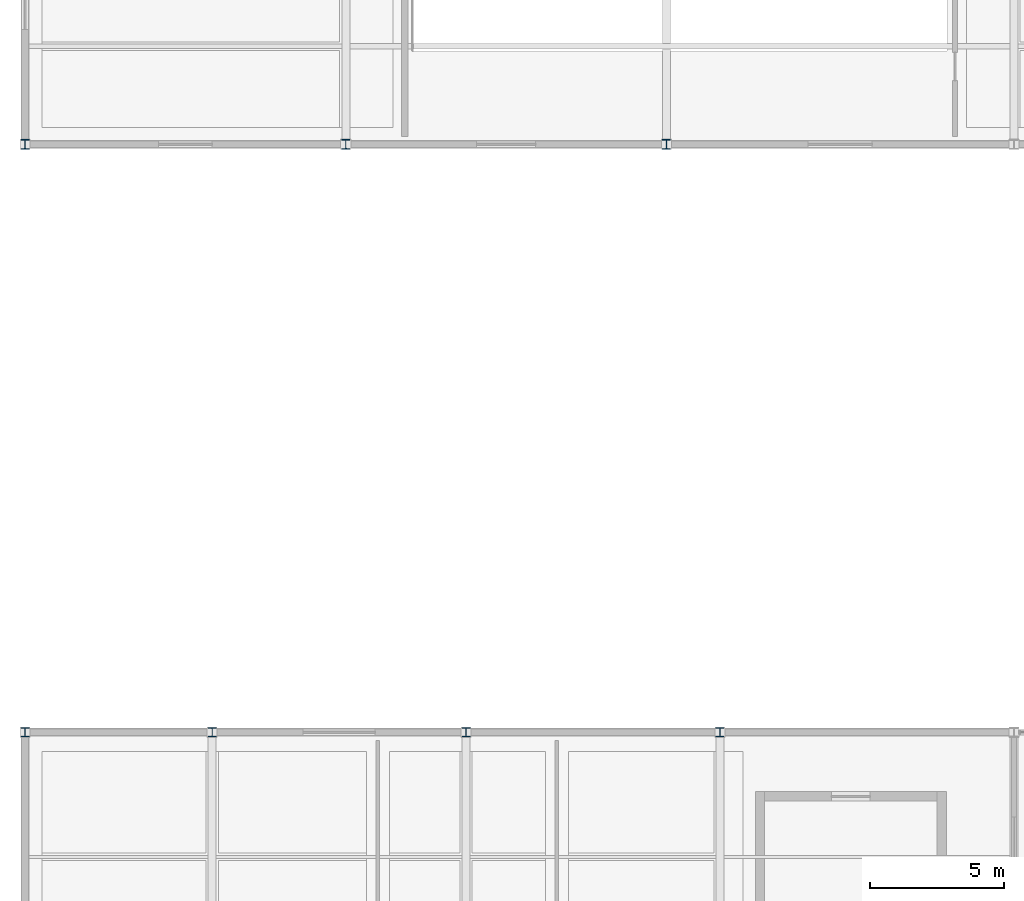
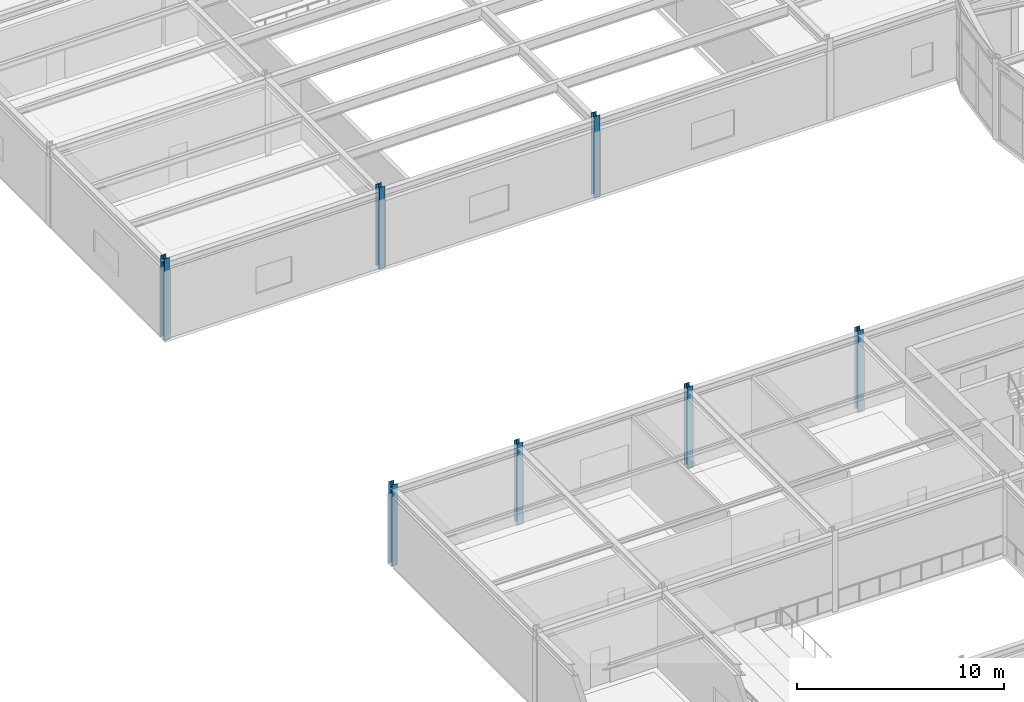
# One storey, part 3 of 100: 7 columns.
"""IFC4 building model written with IfcOpenShell, lengths in metres."""

from ifc_helpers import new_model, si_unit, direction, frame, origin, origin_2d, place, context, subcontext, project, spatial, i_section, extrude, material, material_profile, profile_set, type_object, element, save


model = new_model("IFC4")

# Units and contexts
model_context = context("Model", 3, precision=1e-05, world=origin(), true_north=direction((0.0, 1.0)))
body_context = subcontext(model_context, "Body", "Model", "MODEL_VIEW")
ifc_project = project(units=[si_unit("LENGTHUNIT", "METRE"), si_unit("AREAUNIT", "SQUARE_METRE"), si_unit("VOLUMEUNIT", "CUBIC_METRE"), si_unit("PLANEANGLEUNIT", "RADIAN"), si_unit("MASSUNIT", "GRAM", prefix="KILO")], contexts=[model_context])

# Site, building, storey
site_placement = place(None, origin())
site = spatial("IfcSite", under=ifc_project, at=site_placement, CompositionType="ELEMENT")
building_placement = place(site_placement, origin())
building = spatial("IfcBuilding", under=site, at=building_placement, Name="Tarnveldt Headland Concert Hall", CompositionType="ELEMENT")
storey_placement = place(building_placement, frame((0.0, 0.0, 4.800048828125)))
storey = spatial("IfcBuildingStorey", under=building, at=storey_placement, Name="L01", CompositionType="ELEMENT", Elevation=4.800048828125)

# Columns
ifc_material = material(Name="Steel S355", Category="steel")
ifc_material_profile_1 = material_profile(ifc_material, i_section(OverallWidth=0.300048828125, OverallDepth=0.35009765625, WebThickness=0.010009765625, FlangeThickness=0.017578125, FilletRadius=0.027099609375, at=origin_2d()), Name="HEA360", Category="steel")
ifc_profile_set_1 = profile_set([ifc_material_profile_1], Name="Steel S355")
column_type_1 = type_object("IfcColumnType", Name="SC-HEA360", PredefinedType="COLUMN", material=ifc_profile_set_1)
for number, where, z_axis, x_axis, name in (
    (1, (33.5, 38.0, 0.0), (0.0, 0.0, 1.0), (1.0, 0.0, 0.0), "Column V4C09 L01"),
    (2, (24.0, 38.0, 0.0), (0.0, 0.0, 1.0), (1.0, 0.0, 0.0), "Column V4C10 L01"),
    (3, (14.5, 38.0, 0.0), (0.0, 0.0, 1.0), (1.0, 0.0, 0.0), "Column V4C11 L01"),
    (4, (7.5, 38.0, 0.0), (0.0, 0.0, 1.0), (1.0, 0.0, 0.0), "Column V4C12 L01"),
):
    element("IfcColumn", number, at=place(storey_placement, frame(where, z_axis=z_axis, x_axis=x_axis)), inside=storey, type_object=column_type_1, Name=name, PredefinedType="COLUMN", context=body_context, shape_type="SweptSolid", body=[
        extrude(i_section(OverallWidth=0.300048828125, OverallDepth=0.35009765625, WebThickness=0.010009765625, FlangeThickness=0.017578125, FilletRadius=0.027099609375, at=origin_2d()), origin(), (0.0, 0.0, 1.0), 4.800048828125),
    ])
ifc_material_profile_2 = material_profile(ifc_material, i_section(OverallWidth=0.300048828125, OverallDepth=0.360107421875, WebThickness=0.012451171875, FlangeThickness=0.0224609375, FilletRadius=0.027099609375, at=origin_2d()), Name="HEB360", Category="steel")
ifc_profile_set_2 = profile_set([ifc_material_profile_2], Name="Steel S355")
column_type_2 = type_object("IfcColumnType", Name="SC-HEB360", PredefinedType="COLUMN", material=ifc_profile_set_2)
for number, where, z_axis, x_axis, name in (
    (5, (7.5, 60.0, 0.0), (0.0, 0.0, 1.0), (1.0, 0.0, 0.0), "Column V5C01 L01"),
    (6, (19.5, 60.0, 0.0), (0.0, 0.0, 1.0), (1.0, 0.0, 0.0), "Column V5C05 L01"),
    (7, (31.5, 60.0, 0.0), (0.0, 0.0, 1.0), (1.0, 0.0, 0.0), "Column V5C11 L01"),
):
    element("IfcColumn", number, at=place(storey_placement, frame(where, z_axis=z_axis, x_axis=x_axis)), inside=storey, type_object=column_type_2, Name=name, PredefinedType="COLUMN", context=body_context, shape_type="SweptSolid", body=[
        extrude(i_section(OverallWidth=0.300048828125, OverallDepth=0.360107421875, WebThickness=0.012451171875, FlangeThickness=0.0224609375, FilletRadius=0.027099609375, at=origin_2d()), origin(), (0.0, 0.0, 1.0), 4.800048828125),
    ])

save(model, "model.ifc")
